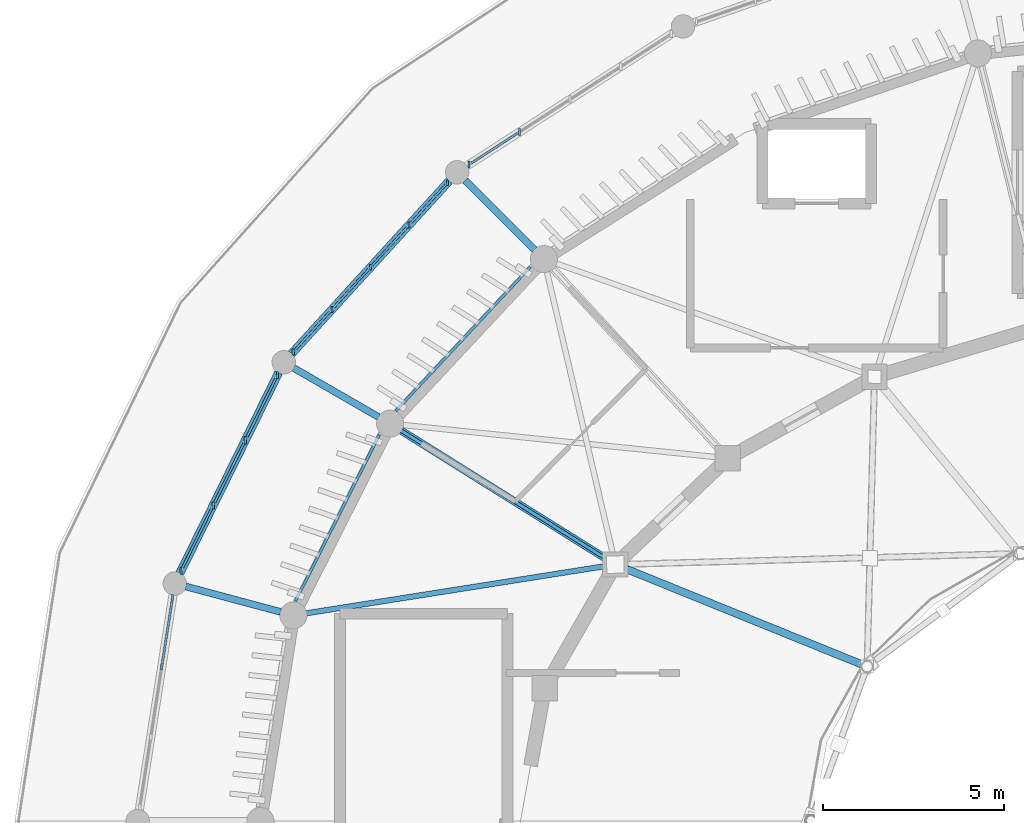
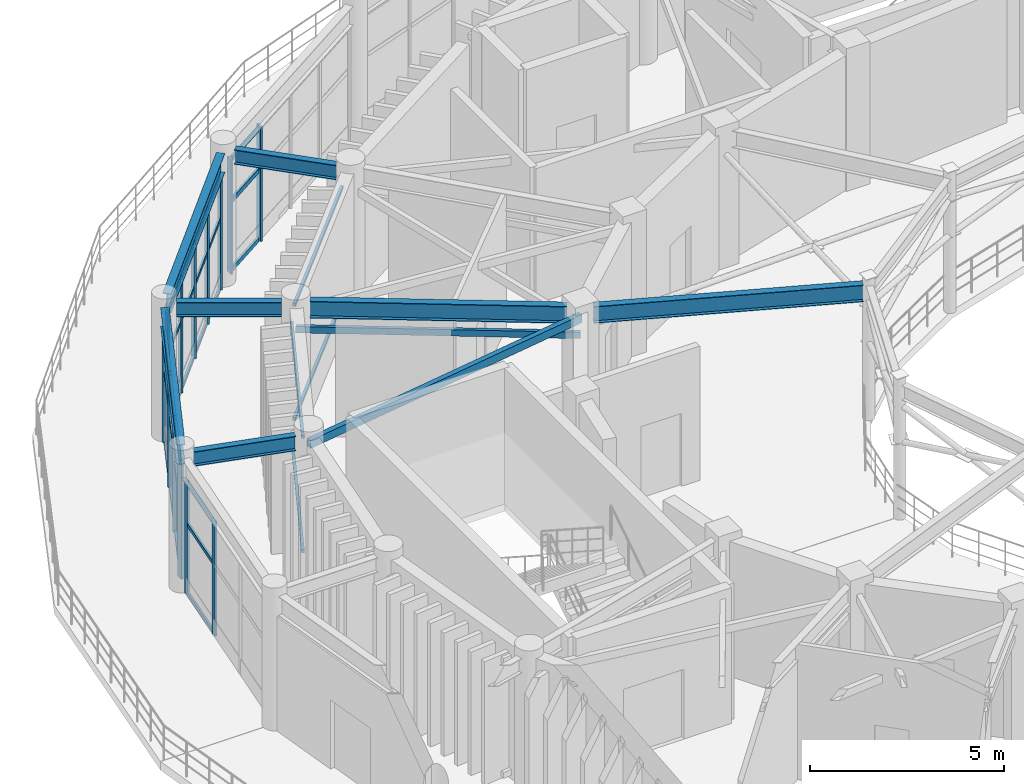
# One storey, part 11 of 45: 46 members, 7 beams, 4 elements without a shape of their own.
"""IFC4 building model written with IfcOpenShell, lengths in metres."""

from ifc_helpers import new_model, si_unit, direction, frame, origin, origin_2d, place, context, subcontext, project, spatial, rectangle, hollow_rectangle, i_section, extrude, material, material_profile, profile_set, type_object, element, aggregate, save


model = new_model("IFC4")

# Units and contexts
model_context = context("Model", 3, precision=1e-05, world=origin(), true_north=direction((0.0, 1.0)))
body_context = subcontext(model_context, "Body", "Model", "MODEL_VIEW")
ifc_project = project(units=[si_unit("LENGTHUNIT", "METRE"), si_unit("AREAUNIT", "SQUARE_METRE"), si_unit("VOLUMEUNIT", "CUBIC_METRE"), si_unit("PLANEANGLEUNIT", "RADIAN"), si_unit("MASSUNIT", "GRAM", prefix="KILO")], contexts=[model_context])

# Site, building, storey
site_placement = place(None, origin())
site = spatial("IfcSite", under=ifc_project, at=site_placement, CompositionType="ELEMENT")
building_placement = place(site_placement, origin())
building = spatial("IfcBuilding", under=site, at=building_placement, Name="Cinderbank Siding Concert Hall", CompositionType="ELEMENT")
storey_placement = place(building_placement, frame((0.0, 0.0, 19.199951171875)))
storey = spatial("IfcBuildingStorey", under=building, at=storey_placement, Name="L05", CompositionType="ELEMENT", Elevation=19.199951171875)

# Beams
ifc_material_1 = material(Name="Structural steel AS/NZS 3679.1 Grade 350 (340 MPa)", Category="steel")
ifc_material_profile_1 = material_profile(ifc_material_1, i_section(OverallWidth=0.19091796875, OverallDepth=0.46044921875, WebThickness=0.010009765625, FlangeThickness=0.01611328125, at=origin_2d()), Name="460UB82.1", Category="LoadBearing")
ifc_profile_set_1 = profile_set([ifc_material_profile_1], Name="Structural steel AS/NZS 3679.1 Grade 350 (340 MPa)")
beam_type_1 = type_object("IfcBeamType", Name="BM-UB460H 460UB82.1", PredefinedType="BEAM", material=ifc_profile_set_1)
beam_1_placement = place(storey_placement, frame((102.7900390625, 59.81591796875, 4.001953125), z_axis=(-0.707151723938, 0.707061835578, 0.0), x_axis=(-0.707061835578, -0.707151723938, 0.0)))
element("IfcBeam", 1, at=beam_1_placement, inside=storey, type_object=beam_type_1, Name="L05 Beam BM-UB460H #803", PredefinedType="BEAM", context=body_context, shape_type="SweptSolid", body=[
    extrude(i_section(OverallWidth=0.19091796875, OverallDepth=0.46044921875, WebThickness=0.010009765625, FlangeThickness=0.01611328125, at=origin_2d()), origin(), (0.0, 0.0, 1.0), 2.716064453125),
])
beam_2_placement = place(storey_placement, frame((98.47265625, 55.18359375, 4.001953125), z_axis=(-0.866032896488, 0.499987022033, 0.0), x_axis=(-0.499987022033, -0.866032896488, 0.0)))
element("IfcBeam", 2, at=beam_2_placement, inside=storey, type_object=beam_type_1, Name="L05 Beam BM-UB460H #804", PredefinedType="BEAM", context=body_context, shape_type="SweptSolid", body=[
    extrude(i_section(OverallWidth=0.19091796875, OverallDepth=0.46044921875, WebThickness=0.010009765625, FlangeThickness=0.01611328125, at=origin_2d()), origin(), (0.0, 0.0, 1.0), 2.7158203125),
])
beam_3_placement = place(storey_placement, frame((95.7587890625, 49.7890625, 4.001953125), z_axis=(-0.965934410535, 0.258787006135, 0.0), x_axis=(-0.258787006135, -0.965934410535, 0.0)))
element("IfcBeam", 3, at=beam_3_placement, inside=storey, type_object=beam_type_1, Name="L05 Beam BM-UB460H #805", PredefinedType="BEAM", context=body_context, shape_type="SweptSolid", body=[
    extrude(i_section(OverallWidth=0.19091796875, OverallDepth=0.46044921875, WebThickness=0.010009765625, FlangeThickness=0.01611328125, at=origin_2d()), origin(), (0.0, 0.0, 1.0), 2.716064453125),
])
ifc_material_profile_2 = material_profile(ifc_material_1, i_section(OverallWidth=0.208984375, OverallDepth=0.5283203125, WebThickness=0.009521484375, FlangeThickness=0.01318359375, at=origin_2d()), Name="530UB82.0", Category="LoadBearing")
ifc_profile_set_2 = profile_set([ifc_material_profile_2], Name="Structural steel AS/NZS 3679.1 Grade 350 (340 MPa)")
beam_type_2 = type_object("IfcBeamType", Name="BM-UB530 530UB82.0", PredefinedType="BEAM", material=ifc_profile_set_2)
beam_4_placement = place(storey_placement, frame((111.854736328125, 48.332763671875, 3.988037109375), z_axis=(-0.926787327391, 0.375586541008, 0.0), x_axis=(-0.375586541008, -0.926787327391, 0.0)))
element("IfcBeam", 4, at=beam_4_placement, inside=storey, type_object=beam_type_2, Name="L05 Beam BM-UB530 #216", PredefinedType="BEAM", context=body_context, shape_type="SweptSolid", body=[
    extrude(i_section(OverallWidth=0.208984375, OverallDepth=0.5283203125, WebThickness=0.009521484375, FlangeThickness=0.01318359375, at=origin_2d()), origin(), (0.0, 0.0, 1.0), 7.026123046875),
])
ifc_material_profile_3 = material_profile(ifc_material_1, i_section(OverallWidth=0.208984375, OverallDepth=0.532958984375, WebThickness=0.01025390625, FlangeThickness=0.015625, at=origin_2d()), Name="530UB92.4", Category="LoadBearing")
ifc_profile_set_3 = profile_set([ifc_material_profile_3], Name="Structural steel AS/NZS 3679.1 Grade 350 (340 MPa)")
beam_type_3 = type_object("IfcBeamType", Name="BM-UB530H 530UB92.4", PredefinedType="BEAM", material=ifc_profile_set_3)
beam_5_placement = place(storey_placement, frame((104.73583984375, 51.281494140625, 4.015625), z_axis=(-0.84781868984, 0.530286214376, 0.0), x_axis=(-0.530286214376, -0.84781868984, 0.0)))
element("IfcBeam", 5, at=beam_5_placement, inside=storey, type_object=beam_type_3, Name="L05 Beam BM-UB530H #786", PredefinedType="BEAM", context=body_context, shape_type="SweptSolid", body=[
    extrude(i_section(OverallWidth=0.208984375, OverallDepth=0.532958984375, WebThickness=0.01025390625, FlangeThickness=0.015625, at=origin_2d()), origin(), (0.0, 0.0, 1.0), 6.645263671875),
])
ifc_material_profile_4 = material_profile(ifc_material_1, i_section(OverallWidth=0.22802734375, OverallDepth=0.60693359375, WebThickness=0.01123046875, FlangeThickness=0.017333984375, at=origin_2d()), Name="610UB113", Category="LoadBearing")
ifc_profile_set_4 = profile_set([ifc_material_profile_4], Name="Structural steel AS/NZS 3679.1 Grade 350 (340 MPa)")
beam_type_4 = type_object("IfcBeamType", Name="BM-UB610M 610UB113", PredefinedType="BEAM", material=ifc_profile_set_4)
beam_6_placement = place(storey_placement, frame((100.431640625, 61.726318359375, 3.928466796875), z_axis=(-0.67395874418, -0.73876898361, 0.0), x_axis=(0.73876898361, -0.67395874418, 0.0)))
element("IfcBeam", 6, at=beam_6_placement, inside=storey, type_object=beam_type_4, Name="L05 Beam BM-UB610M #768", PredefinedType="BEAM", context=body_context, shape_type="SweptSolid", body=[
    extrude(i_section(OverallWidth=0.22802734375, OverallDepth=0.60693359375, WebThickness=0.01123046875, FlangeThickness=0.017333984375, at=origin_2d()), origin(), (0.0, 0.0, 1.0), 6.48681640625),
])
beam_7_placement = place(storey_placement, frame((95.705810546875, 56.41552734375, 3.928466796875), z_axis=(-0.441813843649, -0.897106753714, 0.0), x_axis=(0.897106753714, -0.441813843649, 0.0)))
element("IfcBeam", 7, at=beam_7_placement, inside=storey, type_object=beam_type_4, Name="L05 Beam BM-UB610M #769", PredefinedType="BEAM", context=body_context, shape_type="SweptSolid", body=[
    extrude(i_section(OverallWidth=0.22802734375, OverallDepth=0.60693359375, WebThickness=0.01123046875, FlangeThickness=0.017333984375, at=origin_2d()), origin(), (0.0, 0.0, 1.0), 6.194580078125),
])

# Curtain wall, members
ifc_material_2 = material(Name="Anodised aluminium alloy 6063-T6", Category="aluminium")
curtain_wall_type_1 = type_object("IfcCurtainWallType", Name="CW-10 Unitised Acoustic Curtain Wall 7200x3500", PredefinedType="NOTDEFINED", material=ifc_material_2)
curtain_wall_1_placement = place(storey_placement, origin())
curtain_wall_1 = element("IfcCurtainWall", 8, at=curtain_wall_1_placement, inside=storey, type_object=curtain_wall_type_1, Name="L05 Curtain Wall CW-10 #80", PredefinedType="NOTDEFINED")
ifc_material_profile_5 = material_profile(ifc_material_2, rectangle(XDim=0.06005859375, YDim=0.159912109375, at=origin_2d()), Name="ALU-MULL-60x160", Category="LoadBearing")
ifc_profile_set_5 = profile_set([ifc_material_profile_5], Name="Anodised aluminium alloy 6063-T6")
member_type_1 = type_object("IfcMemberType", Name="CW-ML1 Mullion 60x160", PredefinedType="MULLION", material=ifc_profile_set_5)
member_1_placement = place(storey_placement, frame((100.382568359375, 61.67236328125, 0.0), z_axis=(0.0, 0.0, 1.0), x_axis=(1.0, 0.0, 0.0)))
member_1 = element("IfcMember", 9, at=member_1_placement, type_object=member_type_1, Name="CW-L05-080 Mullion 0", PredefinedType="MULLION", context=body_context, shape_type="SweptSolid", body=[
    extrude(rectangle(XDim=0.06005859375, YDim=0.159912109375, at=origin_2d()), origin(), (0.0, 0.0, 1.0), 3.610107421875),
])
member_2_placement = place(storey_placement, frame((99.314208984375, 60.501220703125, 0.0), z_axis=(0.0, 0.0, 1.0), x_axis=(1.0, 0.0, 0.0)))
member_2 = element("IfcMember", 10, at=member_2_placement, type_object=member_type_1, Name="CW-L05-080 Mullion 1", PredefinedType="MULLION", context=body_context, shape_type="SweptSolid", body=[
    extrude(rectangle(XDim=0.06005859375, YDim=0.159912109375, at=origin_2d()), origin(), (0.0, 0.0, 1.0), 3.610107421875),
])
member_3_placement = place(storey_placement, frame((98.24560546875, 59.330322265625, 0.0), z_axis=(0.0, 0.0, 1.0), x_axis=(1.0, 0.0, 0.0)))
member_3 = element("IfcMember", 11, at=member_3_placement, type_object=member_type_1, Name="CW-L05-080 Mullion 2", PredefinedType="MULLION", context=body_context, shape_type="SweptSolid", body=[
    extrude(rectangle(XDim=0.06005859375, YDim=0.159912109375, at=origin_2d()), origin(), (0.0, 0.0, 1.0), 3.610107421875),
])
member_4_placement = place(storey_placement, frame((97.17724609375, 58.1591796875, 0.0), z_axis=(0.0, 0.0, 1.0), x_axis=(1.0, 0.0, 0.0)))
member_4 = element("IfcMember", 12, at=member_4_placement, type_object=member_type_1, Name="CW-L05-080 Mullion 3", PredefinedType="MULLION", context=body_context, shape_type="SweptSolid", body=[
    extrude(rectangle(XDim=0.06005859375, YDim=0.159912109375, at=origin_2d()), origin(), (0.0, 0.0, 1.0), 3.610107421875),
])
member_5_placement = place(storey_placement, frame((96.10888671875, 56.988037109375, 0.0), z_axis=(0.0, 0.0, 1.0), x_axis=(1.0, 0.0, 0.0)))
member_5 = element("IfcMember", 13, at=member_5_placement, type_object=member_type_1, Name="CW-L05-080 Mullion 4", PredefinedType="MULLION", context=body_context, shape_type="SweptSolid", body=[
    extrude(rectangle(XDim=0.06005859375, YDim=0.159912109375, at=origin_2d()), origin(), (0.0, 0.0, 1.0), 3.610107421875),
])

curtain_wall_type_2 = type_object("IfcCurtainWallType", Name="CW-12 Unitised Acoustic Curtain Wall 5800x3500", PredefinedType="NOTDEFINED", material=ifc_material_2)
curtain_wall_2_placement = place(storey_placement, origin())
curtain_wall_2 = element("IfcCurtainWall", 14, at=curtain_wall_2_placement, inside=storey, type_object=curtain_wall_type_2, Name="L05 Curtain Wall CW-12 #82", PredefinedType="NOTDEFINED")
member_6_placement = place(storey_placement, frame((92.768798828125, 50.188720703125, 0.0), z_axis=(0.0, 0.0, 1.0), x_axis=(1.0, 0.0, 0.0)))
member_6 = element("IfcMember", 15, at=member_6_placement, type_object=member_type_1, Name="CW-L05-082 Mullion 0", PredefinedType="MULLION", context=body_context, shape_type="SweptSolid", body=[
    extrude(rectangle(XDim=0.06005859375, YDim=0.159912109375, at=origin_2d()), origin(), (0.0, 0.0, 1.0), 3.610107421875),
])
member_7_placement = place(storey_placement, frame((92.4658203125, 48.254150390625, 0.0), z_axis=(0.0, 0.0, 1.0), x_axis=(1.0, 0.0, 0.0)))
member_7 = element("IfcMember", 16, at=member_7_placement, type_object=member_type_1, Name="CW-L05-082 Mullion 1", PredefinedType="MULLION", context=body_context, shape_type="SweptSolid", body=[
    extrude(rectangle(XDim=0.06005859375, YDim=0.159912109375, at=origin_2d()), origin(), (0.0, 0.0, 1.0), 3.610107421875),
])

curtain_wall_type_3 = type_object("IfcCurtainWallType", Name="CW-09 Unitised Acoustic Curtain Wall 8000x3500", PredefinedType="NOTDEFINED", material=ifc_material_2)
curtain_wall_3_placement = place(storey_placement, origin())
curtain_wall_3 = element("IfcCurtainWall", 17, at=curtain_wall_3_placement, inside=storey, type_object=curtain_wall_type_3, Name="L05 Curtain Wall CW-09 #79", PredefinedType="NOTDEFINED")
ifc_material_profile_6 = material_profile(ifc_material_2, rectangle(XDim=0.06494140625, YDim=0.199951171875, at=origin_2d()), Name="ALU-MULL-65x200", Category="LoadBearing")
ifc_profile_set_6 = profile_set([ifc_material_profile_6], Name="Anodised aluminium alloy 6063-T6")
member_type_2 = type_object("IfcMemberType", Name="CW-ML2 Mullion 65x200", PredefinedType="MULLION", material=ifc_profile_set_6)
member_8_placement = place(storey_placement, frame((102.372802734375, 63.075439453125, 0.0), z_axis=(0.0, 0.0, 1.0), x_axis=(1.0, 0.0, 0.0)))
member_8 = element("IfcMember", 18, at=member_8_placement, type_object=member_type_2, Name="CW-L05-079 Mullion 3", PredefinedType="MULLION", context=body_context, shape_type="SweptSolid", body=[
    extrude(rectangle(XDim=0.06494140625, YDim=0.199951171875, at=origin_2d()), origin(), (0.0, 0.0, 1.0), 3.610107421875),
])
member_9_placement = place(storey_placement, frame((100.97314453125, 62.172119140625, 0.0), z_axis=(0.0, 0.0, 1.0), x_axis=(1.0, 0.0, 0.0)))
member_9 = element("IfcMember", 19, at=member_9_placement, type_object=member_type_2, Name="CW-L05-079 Mullion 4", PredefinedType="MULLION", context=body_context, shape_type="SweptSolid", body=[
    extrude(rectangle(XDim=0.06494140625, YDim=0.199951171875, at=origin_2d()), origin(), (0.0, 0.0, 1.0), 3.610107421875),
])

curtain_wall_type_4 = type_object("IfcCurtainWallType", Name="CW-11 Unitised Acoustic Curtain Wall 6600x3500", PredefinedType="NOTDEFINED", material=ifc_material_2)
curtain_wall_4_placement = place(storey_placement, origin())
curtain_wall_4 = element("IfcCurtainWall", 20, at=curtain_wall_4_placement, inside=storey, type_object=curtain_wall_type_4, Name="L05 Curtain Wall CW-11 #81", PredefinedType="NOTDEFINED")
member_10_placement = place(storey_placement, frame((95.673583984375, 56.35009765625, 0.0), z_axis=(0.0, 0.0, 1.0), x_axis=(1.0, 0.0, 0.0)))
member_10 = element("IfcMember", 21, at=member_10_placement, type_object=member_type_2, Name="CW-L05-081 Mullion 0", PredefinedType="MULLION", context=body_context, shape_type="SweptSolid", body=[
    extrude(rectangle(XDim=0.06494140625, YDim=0.199951171875, at=origin_2d()), origin(), (0.0, 0.0, 1.0), 3.610107421875),
])
member_11_placement = place(storey_placement, frame((94.782958984375, 54.54150390625, 0.0), z_axis=(0.0, 0.0, 1.0), x_axis=(1.0, 0.0, 0.0)))
member_11 = element("IfcMember", 22, at=member_11_placement, type_object=member_type_2, Name="CW-L05-081 Mullion 1", PredefinedType="MULLION", context=body_context, shape_type="SweptSolid", body=[
    extrude(rectangle(XDim=0.06494140625, YDim=0.199951171875, at=origin_2d()), origin(), (0.0, 0.0, 1.0), 3.610107421875),
])
member_12_placement = place(storey_placement, frame((93.89208984375, 52.732666015625, 0.0), z_axis=(0.0, 0.0, 1.0), x_axis=(1.0, 0.0, 0.0)))
member_12 = element("IfcMember", 23, at=member_12_placement, type_object=member_type_2, Name="CW-L05-081 Mullion 2", PredefinedType="MULLION", context=body_context, shape_type="SweptSolid", body=[
    extrude(rectangle(XDim=0.06494140625, YDim=0.199951171875, at=origin_2d()), origin(), (0.0, 0.0, 1.0), 3.610107421875),
])
member_13_placement = place(storey_placement, frame((93.001220703125, 50.923828125, 0.0), z_axis=(0.0, 0.0, 1.0), x_axis=(1.0, 0.0, 0.0)))
member_13 = element("IfcMember", 24, at=member_13_placement, type_object=member_type_2, Name="CW-L05-081 Mullion 3", PredefinedType="MULLION", context=body_context, shape_type="SweptSolid", body=[
    extrude(rectangle(XDim=0.06494140625, YDim=0.199951171875, at=origin_2d()), origin(), (0.0, 0.0, 1.0), 3.610107421875),
])

# Member
ifc_material_profile_7 = material_profile(ifc_material_2, rectangle(XDim=0.06005859375, YDim=0.1201171875, at=origin_2d()), Name="ALU-TRAN-60x120", Category="LoadBearing")
ifc_profile_set_7 = profile_set([ifc_material_profile_7], Name="Anodised aluminium alloy 6063-T6")
member_type_3 = type_object("IfcMemberType", Name="CW-TR1 Transom 60x120", PredefinedType="USERDEFINED", material=ifc_profile_set_7)
member_14_placement = place(storey_placement, frame((100.3291015625, 61.61376953125, 0.06005859375), z_axis=(-0.674025884018, -0.738707728181, 0.0), x_axis=(0.738707728181, -0.674025884018, 0.0)))
member_14 = element("IfcMember", 25, at=member_14_placement, type_object=member_type_3, Name="CW-L05-080 Transom 0-0", ObjectType="TRANSOM", PredefinedType="USERDEFINED", context=body_context, shape_type="SweptSolid", body=[
    extrude(rectangle(XDim=0.06005859375, YDim=0.1201171875, at=origin_2d()), origin(), (0.0, 0.0, 1.0), 1.4267578125),
])

member_15_placement = place(storey_placement, frame((100.3291015625, 61.61376953125, 2.23828125), z_axis=(-0.674025884018, -0.738707728181, 0.0), x_axis=(0.738707728181, -0.674025884018, 0.0)))
member_15 = element("IfcMember", 26, at=member_15_placement, type_object=member_type_3, Name="CW-L05-080 Transom 0-1", ObjectType="TRANSOM", PredefinedType="USERDEFINED", context=body_context, shape_type="SweptSolid", body=[
    extrude(rectangle(XDim=0.06005859375, YDim=0.1201171875, at=origin_2d()), origin(), (0.0, 0.0, 1.0), 1.4267578125),
])

member_16_placement = place(storey_placement, frame((100.3291015625, 61.61376953125, 3.550048828125), z_axis=(-0.674025884018, -0.738707728181, 0.0), x_axis=(0.738707728181, -0.674025884018, 0.0)))
member_16 = element("IfcMember", 27, at=member_16_placement, type_object=member_type_3, Name="CW-L05-080 Transom 0-2", ObjectType="TRANSOM", PredefinedType="USERDEFINED", context=body_context, shape_type="SweptSolid", body=[
    extrude(rectangle(XDim=0.06005859375, YDim=0.1201171875, at=origin_2d()), origin(), (0.0, 0.0, 1.0), 1.4267578125),
])

member_17_placement = place(storey_placement, frame((99.2607421875, 60.44287109375, 0.06005859375), z_axis=(-0.674025884018, -0.738707728181, 0.0), x_axis=(0.738707728181, -0.674025884018, 0.0)))
member_17 = element("IfcMember", 28, at=member_17_placement, type_object=member_type_3, Name="CW-L05-080 Transom 1-0", ObjectType="TRANSOM", PredefinedType="USERDEFINED", context=body_context, shape_type="SweptSolid", body=[
    extrude(rectangle(XDim=0.06005859375, YDim=0.1201171875, at=origin_2d()), origin(), (0.0, 0.0, 1.0), 1.4267578125),
])

member_18_placement = place(storey_placement, frame((99.2607421875, 60.44287109375, 2.23828125), z_axis=(-0.674025884018, -0.738707728181, 0.0), x_axis=(0.738707728181, -0.674025884018, 0.0)))
member_18 = element("IfcMember", 29, at=member_18_placement, type_object=member_type_3, Name="CW-L05-080 Transom 1-1", ObjectType="TRANSOM", PredefinedType="USERDEFINED", context=body_context, shape_type="SweptSolid", body=[
    extrude(rectangle(XDim=0.06005859375, YDim=0.1201171875, at=origin_2d()), origin(), (0.0, 0.0, 1.0), 1.4267578125),
])

member_19_placement = place(storey_placement, frame((99.2607421875, 60.44287109375, 3.550048828125), z_axis=(-0.674025884018, -0.738707728181, 0.0), x_axis=(0.738707728181, -0.674025884018, 0.0)))
member_19 = element("IfcMember", 30, at=member_19_placement, type_object=member_type_3, Name="CW-L05-080 Transom 1-2", ObjectType="TRANSOM", PredefinedType="USERDEFINED", context=body_context, shape_type="SweptSolid", body=[
    extrude(rectangle(XDim=0.06005859375, YDim=0.1201171875, at=origin_2d()), origin(), (0.0, 0.0, 1.0), 1.4267578125),
])

member_20_placement = place(storey_placement, frame((98.1923828125, 59.271728515625, 0.06005859375), z_axis=(-0.674025884018, -0.738707728181, 0.0), x_axis=(0.738707728181, -0.674025884018, 0.0)))
member_20 = element("IfcMember", 31, at=member_20_placement, type_object=member_type_3, Name="CW-L05-080 Transom 2-0", ObjectType="TRANSOM", PredefinedType="USERDEFINED", context=body_context, shape_type="SweptSolid", body=[
    extrude(rectangle(XDim=0.06005859375, YDim=0.1201171875, at=origin_2d()), origin(), (0.0, 0.0, 1.0), 1.4267578125),
])

member_21_placement = place(storey_placement, frame((98.1923828125, 59.271728515625, 2.23828125), z_axis=(-0.674025884018, -0.738707728181, 0.0), x_axis=(0.738707728181, -0.674025884018, 0.0)))
member_21 = element("IfcMember", 32, at=member_21_placement, type_object=member_type_3, Name="CW-L05-080 Transom 2-1", ObjectType="TRANSOM", PredefinedType="USERDEFINED", context=body_context, shape_type="SweptSolid", body=[
    extrude(rectangle(XDim=0.06005859375, YDim=0.1201171875, at=origin_2d()), origin(), (0.0, 0.0, 1.0), 1.4267578125),
])

member_22_placement = place(storey_placement, frame((98.1923828125, 59.271728515625, 3.550048828125), z_axis=(-0.674025884018, -0.738707728181, 0.0), x_axis=(0.738707728181, -0.674025884018, 0.0)))
member_22 = element("IfcMember", 33, at=member_22_placement, type_object=member_type_3, Name="CW-L05-080 Transom 2-2", ObjectType="TRANSOM", PredefinedType="USERDEFINED", context=body_context, shape_type="SweptSolid", body=[
    extrude(rectangle(XDim=0.06005859375, YDim=0.1201171875, at=origin_2d()), origin(), (0.0, 0.0, 1.0), 1.4267578125),
])

member_23_placement = place(storey_placement, frame((97.123779296875, 58.1005859375, 0.06005859375), z_axis=(-0.67393249173, -0.738792932147, 0.0), x_axis=(0.738792932147, -0.67393249173, 0.0)))
member_23 = element("IfcMember", 34, at=member_23_placement, type_object=member_type_3, Name="CW-L05-080 Transom 3-0", ObjectType="TRANSOM", PredefinedType="USERDEFINED", context=body_context, shape_type="SweptSolid", body=[
    extrude(rectangle(XDim=0.06005859375, YDim=0.1201171875, at=origin_2d()), origin(), (0.0, 0.0, 1.0), 1.426513671875),
])

member_24_placement = place(storey_placement, frame((97.123779296875, 58.1005859375, 2.23828125), z_axis=(-0.67393249173, -0.738792932147, 0.0), x_axis=(0.738792932147, -0.67393249173, 0.0)))
member_24 = element("IfcMember", 35, at=member_24_placement, type_object=member_type_3, Name="CW-L05-080 Transom 3-1", ObjectType="TRANSOM", PredefinedType="USERDEFINED", context=body_context, shape_type="SweptSolid", body=[
    extrude(rectangle(XDim=0.06005859375, YDim=0.1201171875, at=origin_2d()), origin(), (0.0, 0.0, 1.0), 1.426513671875),
])

member_25_placement = place(storey_placement, frame((97.123779296875, 58.1005859375, 3.550048828125), z_axis=(-0.67393249173, -0.738792932147, 0.0), x_axis=(0.738792932147, -0.67393249173, 0.0)))
member_25 = element("IfcMember", 36, at=member_25_placement, type_object=member_type_3, Name="CW-L05-080 Transom 3-2", ObjectType="TRANSOM", PredefinedType="USERDEFINED", context=body_context, shape_type="SweptSolid", body=[
    extrude(rectangle(XDim=0.06005859375, YDim=0.1201171875, at=origin_2d()), origin(), (0.0, 0.0, 1.0), 1.426513671875),
])

aggregate(curtain_wall_1, [member_1, member_2, member_3, member_4, member_5, member_14, member_15, member_16, member_17, member_18, member_19, member_20, member_21, member_22, member_23, member_24, member_25])

member_26_placement = place(storey_placement, frame((92.75341796875, 50.092041015625, 0.06005859375), z_axis=(-0.154617780003, -0.987974363082, 0.0), x_axis=(0.987974363082, -0.154617780003, 0.0)))
member_26 = element("IfcMember", 37, at=member_26_placement, type_object=member_type_3, Name="CW-L05-082 Transom 0-0", ObjectType="TRANSOM", PredefinedType="USERDEFINED", context=body_context, shape_type="SweptSolid", body=[
    extrude(rectangle(XDim=0.06005859375, YDim=0.1201171875, at=origin_2d()), origin(), (0.0, 0.0, 1.0), 1.76220703125),
])

member_27_placement = place(storey_placement, frame((92.75341796875, 50.092041015625, 2.23828125), z_axis=(-0.154617780003, -0.987974363082, 0.0), x_axis=(0.987974363082, -0.154617780003, 0.0)))
member_27 = element("IfcMember", 38, at=member_27_placement, type_object=member_type_3, Name="CW-L05-082 Transom 0-1", ObjectType="TRANSOM", PredefinedType="USERDEFINED", context=body_context, shape_type="SweptSolid", body=[
    extrude(rectangle(XDim=0.06005859375, YDim=0.1201171875, at=origin_2d()), origin(), (0.0, 0.0, 1.0), 1.76220703125),
])

member_28_placement = place(storey_placement, frame((92.75341796875, 50.092041015625, 3.550048828125), z_axis=(-0.154617780003, -0.987974363082, 0.0), x_axis=(0.987974363082, -0.154617780003, 0.0)))
member_28 = element("IfcMember", 39, at=member_28_placement, type_object=member_type_3, Name="CW-L05-082 Transom 0-2", ObjectType="TRANSOM", PredefinedType="USERDEFINED", context=body_context, shape_type="SweptSolid", body=[
    extrude(rectangle(XDim=0.06005859375, YDim=0.1201171875, at=origin_2d()), origin(), (0.0, 0.0, 1.0), 1.76220703125),
])

aggregate(curtain_wall_2, [member_6, member_7, member_26, member_27, member_28])

ifc_material_profile_8 = material_profile(ifc_material_2, rectangle(XDim=0.06494140625, YDim=0.14990234375, at=origin_2d()), Name="ALU-TRAN-65x150", Category="LoadBearing")
ifc_profile_set_8 = profile_set([ifc_material_profile_8], Name="Anodised aluminium alloy 6063-T6")
member_type_4 = type_object("IfcMemberType", Name="CW-TR2 Transom 65x150", PredefinedType="USERDEFINED", material=ifc_profile_set_8)
member_29_placement = place(storey_placement, frame((102.302978515625, 63.0302734375, 0.06005859375), z_axis=(-0.840150666065, -0.542353075322, 0.0), x_axis=(0.542353075322, -0.840150666065, 0.0)))
member_29 = element("IfcMember", 40, at=member_29_placement, type_object=member_type_4, Name="CW-L05-079 Transom 3-0", ObjectType="TRANSOM", PredefinedType="USERDEFINED", context=body_context, shape_type="SweptSolid", body=[
    extrude(rectangle(XDim=0.06494140625, YDim=0.14990234375, at=origin_2d()), origin(), (0.0, 0.0, 1.0), 1.49951171875),
])

member_30_placement = place(storey_placement, frame((102.302978515625, 63.0302734375, 2.23828125), z_axis=(-0.840150666065, -0.542353075322, 0.0), x_axis=(0.542353075322, -0.840150666065, 0.0)))
member_30 = element("IfcMember", 41, at=member_30_placement, type_object=member_type_4, Name="CW-L05-079 Transom 3-1", ObjectType="TRANSOM", PredefinedType="USERDEFINED", context=body_context, shape_type="SweptSolid", body=[
    extrude(rectangle(XDim=0.06494140625, YDim=0.14990234375, at=origin_2d()), origin(), (0.0, 0.0, 1.0), 1.49951171875),
])

member_31_placement = place(storey_placement, frame((102.302978515625, 63.0302734375, 3.550048828125), z_axis=(-0.840150666065, -0.542353075322, 0.0), x_axis=(0.542353075322, -0.840150666065, 0.0)))
member_31 = element("IfcMember", 42, at=member_31_placement, type_object=member_type_4, Name="CW-L05-079 Transom 3-2", ObjectType="TRANSOM", PredefinedType="USERDEFINED", context=body_context, shape_type="SweptSolid", body=[
    extrude(rectangle(XDim=0.06494140625, YDim=0.14990234375, at=origin_2d()), origin(), (0.0, 0.0, 1.0), 1.49951171875),
])

aggregate(curtain_wall_3, [member_8, member_9, member_29, member_30, member_31])

member_32_placement = place(storey_placement, frame((95.629150390625, 56.259765625, 0.06005859375), z_axis=(-0.441823966303, -0.897101768363, 0.0), x_axis=(0.897101768363, -0.441823966303, 0.0)))
member_32 = element("IfcMember", 43, at=member_32_placement, type_object=member_type_4, Name="CW-L05-081 Transom 0-0", ObjectType="TRANSOM", PredefinedType="USERDEFINED", context=body_context, shape_type="SweptSolid", body=[
    extrude(rectangle(XDim=0.06494140625, YDim=0.14990234375, at=origin_2d()), origin(), (0.0, 0.0, 1.0), 1.814697265625),
])

member_33_placement = place(storey_placement, frame((95.629150390625, 56.259765625, 2.23828125), z_axis=(-0.441823966303, -0.897101768363, 0.0), x_axis=(0.897101768363, -0.441823966303, 0.0)))
member_33 = element("IfcMember", 44, at=member_33_placement, type_object=member_type_4, Name="CW-L05-081 Transom 0-1", ObjectType="TRANSOM", PredefinedType="USERDEFINED", context=body_context, shape_type="SweptSolid", body=[
    extrude(rectangle(XDim=0.06494140625, YDim=0.14990234375, at=origin_2d()), origin(), (0.0, 0.0, 1.0), 1.814697265625),
])

member_34_placement = place(storey_placement, frame((95.629150390625, 56.259765625, 3.550048828125), z_axis=(-0.441823966303, -0.897101768363, 0.0), x_axis=(0.897101768363, -0.441823966303, 0.0)))
member_34 = element("IfcMember", 45, at=member_34_placement, type_object=member_type_4, Name="CW-L05-081 Transom 0-2", ObjectType="TRANSOM", PredefinedType="USERDEFINED", context=body_context, shape_type="SweptSolid", body=[
    extrude(rectangle(XDim=0.06494140625, YDim=0.14990234375, at=origin_2d()), origin(), (0.0, 0.0, 1.0), 1.814697265625),
])

member_35_placement = place(storey_placement, frame((94.73828125, 54.450927734375, 0.06005859375), z_axis=(-0.441823966303, -0.897101768363, 0.0), x_axis=(0.897101768363, -0.441823966303, 0.0)))
member_35 = element("IfcMember", 46, at=member_35_placement, type_object=member_type_4, Name="CW-L05-081 Transom 1-0", ObjectType="TRANSOM", PredefinedType="USERDEFINED", context=body_context, shape_type="SweptSolid", body=[
    extrude(rectangle(XDim=0.06494140625, YDim=0.14990234375, at=origin_2d()), origin(), (0.0, 0.0, 1.0), 1.814697265625),
])

member_36_placement = place(storey_placement, frame((94.73828125, 54.450927734375, 2.23828125), z_axis=(-0.441823966303, -0.897101768363, 0.0), x_axis=(0.897101768363, -0.441823966303, 0.0)))
member_36 = element("IfcMember", 47, at=member_36_placement, type_object=member_type_4, Name="CW-L05-081 Transom 1-1", ObjectType="TRANSOM", PredefinedType="USERDEFINED", context=body_context, shape_type="SweptSolid", body=[
    extrude(rectangle(XDim=0.06494140625, YDim=0.14990234375, at=origin_2d()), origin(), (0.0, 0.0, 1.0), 1.814697265625),
])

member_37_placement = place(storey_placement, frame((94.73828125, 54.450927734375, 3.550048828125), z_axis=(-0.441823966303, -0.897101768363, 0.0), x_axis=(0.897101768363, -0.441823966303, 0.0)))
member_37 = element("IfcMember", 48, at=member_37_placement, type_object=member_type_4, Name="CW-L05-081 Transom 1-2", ObjectType="TRANSOM", PredefinedType="USERDEFINED", context=body_context, shape_type="SweptSolid", body=[
    extrude(rectangle(XDim=0.06494140625, YDim=0.14990234375, at=origin_2d()), origin(), (0.0, 0.0, 1.0), 1.814697265625),
])

member_38_placement = place(storey_placement, frame((93.84765625, 52.64208984375, 0.06005859375), z_axis=(-0.441877297725, -0.897075500588, 0.0), x_axis=(0.897075500588, -0.441877297725, 0.0)))
member_38 = element("IfcMember", 49, at=member_38_placement, type_object=member_type_4, Name="CW-L05-081 Transom 2-0", ObjectType="TRANSOM", PredefinedType="USERDEFINED", context=body_context, shape_type="SweptSolid", body=[
    extrude(rectangle(XDim=0.06494140625, YDim=0.14990234375, at=origin_2d()), origin(), (0.0, 0.0, 1.0), 1.814453125),
])

member_39_placement = place(storey_placement, frame((93.84765625, 52.64208984375, 2.23828125), z_axis=(-0.441877297725, -0.897075500588, 0.0), x_axis=(0.897075500588, -0.441877297725, 0.0)))
member_39 = element("IfcMember", 50, at=member_39_placement, type_object=member_type_4, Name="CW-L05-081 Transom 2-1", ObjectType="TRANSOM", PredefinedType="USERDEFINED", context=body_context, shape_type="SweptSolid", body=[
    extrude(rectangle(XDim=0.06494140625, YDim=0.14990234375, at=origin_2d()), origin(), (0.0, 0.0, 1.0), 1.814453125),
])

member_40_placement = place(storey_placement, frame((93.84765625, 52.64208984375, 3.550048828125), z_axis=(-0.441877297725, -0.897075500588, 0.0), x_axis=(0.897075500588, -0.441877297725, 0.0)))
member_40 = element("IfcMember", 51, at=member_40_placement, type_object=member_type_4, Name="CW-L05-081 Transom 2-2", ObjectType="TRANSOM", PredefinedType="USERDEFINED", context=body_context, shape_type="SweptSolid", body=[
    extrude(rectangle(XDim=0.06494140625, YDim=0.14990234375, at=origin_2d()), origin(), (0.0, 0.0, 1.0), 1.814453125),
])

aggregate(curtain_wall_4, [member_10, member_11, member_12, member_13, member_32, member_33, member_34, member_35, member_36, member_37, member_38, member_39, member_40])

# Members
ifc_material_profile_9 = material_profile(ifc_material_2, rectangle(XDim=0.080078125, YDim=0.10009765625, at=origin_2d()), Name="ALU-RAIL-80x100", Category="LoadBearing")
ifc_profile_set_9 = profile_set([ifc_material_profile_9], Name="Anodised aluminium alloy 6063-T6")
member_type_5 = type_object("IfcMemberType", Name="LV-RL1 Carrier Rail 80x100", PredefinedType="STUD", material=ifc_profile_set_9)
for number, where, z_axis, x_axis, name in (
    (52, (102.673095703125, 59.3408203125, 0.219970703125), (-0.682858444422, -0.730550713422, 0.0), (0.730550713422, -0.682858444422, 0.0), "L05 Louvre Carrier Rail 10 BOT"),
    (53, (102.673095703125, 59.3408203125, 3.820068359375), (-0.682858444422, -0.730550713422, 0.0), (0.730550713422, -0.682858444422, 0.0), "L05 Louvre Carrier Rail 10 TOP"),
):
    element("IfcMember", number, at=place(storey_placement, frame(where, z_axis=z_axis, x_axis=x_axis)), inside=storey, type_object=member_type_5, Name=name, PredefinedType="STUD", context=body_context, shape_type="SweptSolid", body=[
        extrude(rectangle(XDim=0.080078125, YDim=0.10009765625, at=origin_2d()), origin(), (0.0, 0.0, 1.0), 5.45703125),
    ])
for number, where, z_axis, x_axis, name in (
    (54, (98.49169921875, 54.693603515625, 0.219970703125), (-0.450482714116, -0.892785150124, 0.0), (0.892785150124, -0.450482714116, 0.0), "L05 Louvre Carrier Rail 11 BOT"),
    (55, (98.49169921875, 54.693603515625, 3.820068359375), (-0.450482714116, -0.892785150124, 0.0), (0.892785150124, -0.450482714116, 0.0), "L05 Louvre Carrier Rail 11 TOP"),
):
    element("IfcMember", number, at=place(storey_placement, frame(where, z_axis=z_axis, x_axis=x_axis)), inside=storey, type_object=member_type_5, Name=name, PredefinedType="STUD", context=body_context, shape_type="SweptSolid", body=[
        extrude(rectangle(XDim=0.080078125, YDim=0.10009765625, at=origin_2d()), origin(), (0.0, 0.0, 1.0), 5.1630859375),
    ])
ifc_material_3 = material(Name="Structural steel hollow section AS/NZS 1163 Grade C350L0 (350 MPa)", Category="steel")
ifc_material_profile_10 = material_profile(ifc_material_3, hollow_rectangle(XDim=0.10009765625, YDim=0.199951171875, WallThickness=0.008056640625, at=origin_2d()), Name="200x100x8.0RHS", Category="LoadBearing")
ifc_profile_set_10 = profile_set([ifc_material_profile_10], Name="Structural steel hollow section AS/NZS 1163 Grade C350L0 (350 MPa)")
member_type_6 = type_object("IfcMemberType", Name="PR-RHS200 200x100x8.0RHS Roof Truss", PredefinedType="PURLIN", material=ifc_profile_set_10)
member_41_placement = place(storey_placement, frame((105.02587890625, 51.10009765625, 3.340087890625), z_axis=(-0.847826684568, 0.530273432235, 0.0), x_axis=(-0.530273432235, -0.847826684568, 0.0)))
element("IfcMember", 56, at=member_41_placement, inside=storey, type_object=member_type_6, Name="L05 Roof Truss Member PR-RHS200 #2310", PredefinedType="PURLIN", context=body_context, shape_type="SweptSolid", body=[
    extrude(hollow_rectangle(XDim=0.10009765625, YDim=0.199951171875, WallThickness=0.008056640625, at=origin_2d()), origin(), (0.0, 0.0, 1.0), 7.3544921875),
])
ifc_material_profile_11 = material_profile(ifc_material_3, hollow_rectangle(XDim=0.14990234375, YDim=0.25, WallThickness=0.009033203125, at=origin_2d()), Name="250x150x9.0RHS", Category="LoadBearing")
ifc_profile_set_11 = profile_set([ifc_material_profile_11], Name="Structural steel hollow section AS/NZS 1163 Grade C350L0 (350 MPa)")
member_type_7 = type_object("IfcMemberType", Name="TR-RHS250 250x150x9.0RHS Roof Truss", PredefinedType="RAFTER", material=ifc_profile_set_11)
member_42_placement = place(storey_placement, frame((105.02587890625, 51.10009765625, 3.880126953125), z_axis=(-0.987784236991, -0.155827793262, 0.0), x_axis=(0.155827793262, -0.987784236991, 0.0)))
element("IfcMember", 57, at=member_42_placement, inside=storey, type_object=member_type_7, Name="L05 Roof Truss Member TR-RHS250 #2309", PredefinedType="RAFTER", context=body_context, shape_type="SweptSolid", body=[
    extrude(hollow_rectangle(XDim=0.14990234375, YDim=0.25, WallThickness=0.009033203125, at=origin_2d()), origin(), (0.0, 0.0, 1.0), 9.022705078125),
])

save(model, "model.ifc")
